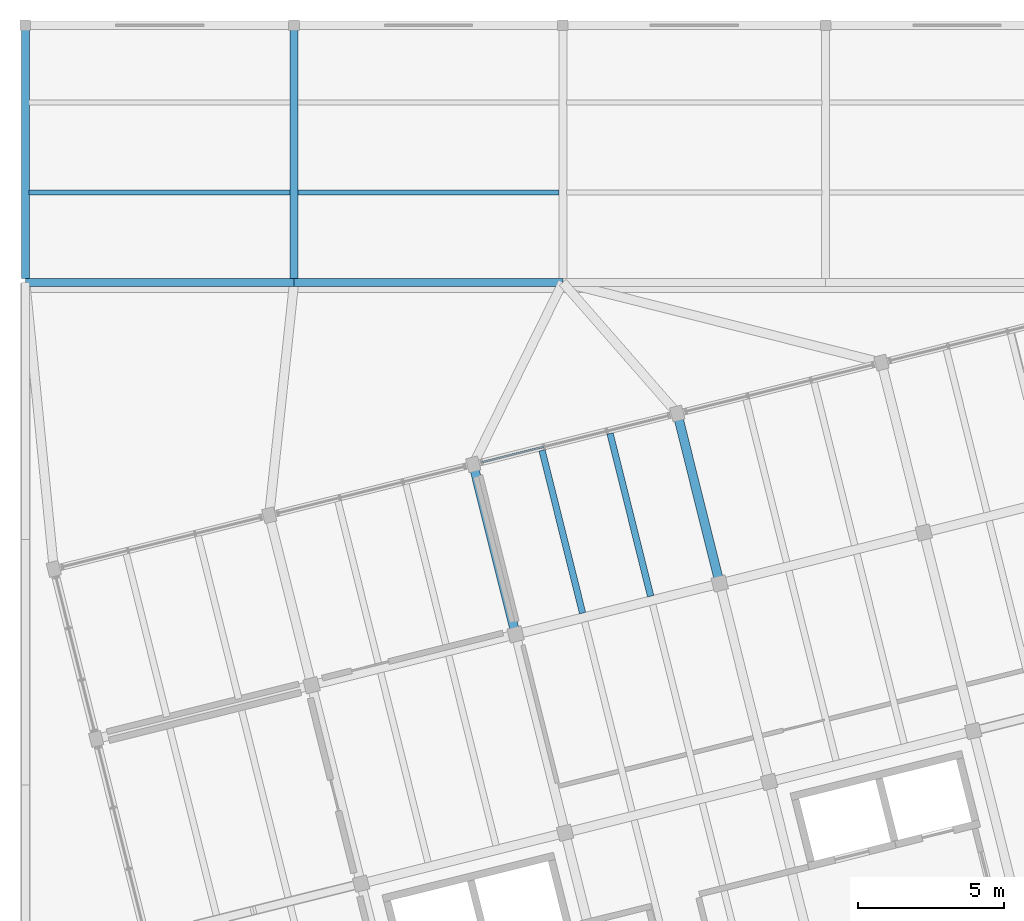
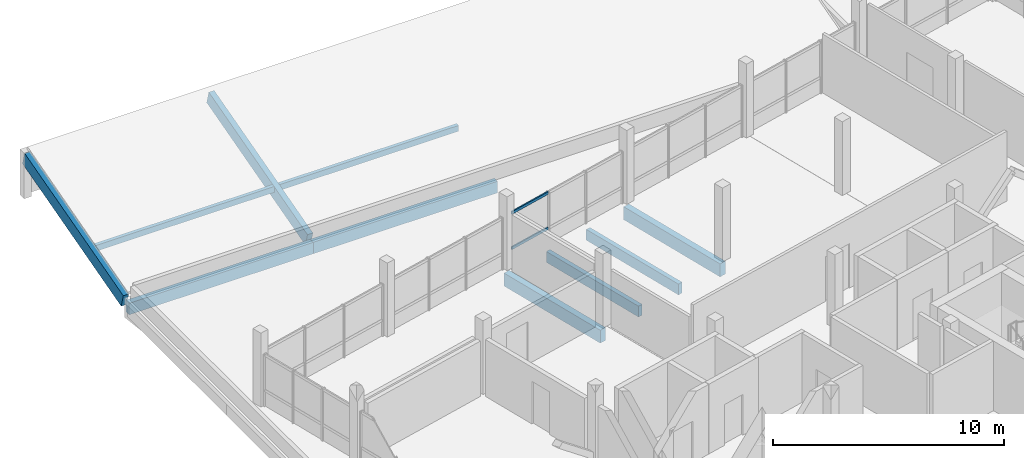
# One storey, part 22 of 37: 8 beams, 4 members, 1 element without a shape of its own.
"""IFC4 building model written with IfcOpenShell, lengths in metres."""

from ifc_helpers import new_model, si_unit, direction, frame, origin, origin_2d, place, context, subcontext, project, spatial, rectangle, hollow_rectangle, extrude, material, layer, layer_set, material_profile, profile_set, type_object, element, aggregate, save


model = new_model("IFC4")

# Units and contexts
model_context = context("Model", 3, precision=1e-05, world=origin(), true_north=direction((0.0, 1.0)))
body_context = subcontext(model_context, "Body", "Model", "MODEL_VIEW")
ifc_project = project(units=[si_unit("LENGTHUNIT", "METRE"), si_unit("AREAUNIT", "SQUARE_METRE"), si_unit("VOLUMEUNIT", "CUBIC_METRE"), si_unit("PLANEANGLEUNIT", "RADIAN"), si_unit("MASSUNIT", "GRAM", prefix="KILO")], contexts=[model_context])

# Site, building, storey
site_placement = place(None, origin())
site = spatial("IfcSite", under=ifc_project, at=site_placement, CompositionType="ELEMENT")
building_placement = place(site_placement, origin())
building = spatial("IfcBuilding", under=site, at=building_placement, Name="Meriwether Solvik Hall", CompositionType="ELEMENT")
storey_placement = place(building_placement, frame((0.0, 0.0, 26.10009765625)))
storey = spatial("IfcBuildingStorey", under=building, at=storey_placement, Name="L06", CompositionType="ELEMENT", Elevation=26.10009765625)

# Beams
ifc_material_1 = material(Name="Glulam Douglas-Fir 24F-V8 GL28h", Category="wood")
ifc_material_profile_1 = material_profile(ifc_material_1, rectangle(XDim=0.27294921875, YDim=0.610107421875, at=origin_2d()), Name="GLB-273X610")
ifc_profile_set_1 = profile_set([ifc_material_profile_1], Name="Glulam Douglas-Fir 24F-V8 GL28h")
beam_type_1 = type_object("IfcBeamType", Name="BM-GL-273X610", PredefinedType="SPANDREL", material=ifc_profile_set_1)
beam_1_placement = place(storey_placement, frame((59.39990234375, 84.0, -0.5751953125), z_axis=(1.0, 0.0, 0.0), x_axis=(0.0, 1.0, 0.0)))
element("IfcBeam", 1, at=beam_1_placement, inside=storey, type_object=beam_type_1, Name="Podium Girder J:7-8 (L06)", PredefinedType="SPANDREL", context=body_context, shape_type="SweptSolid", body=[
    extrude(rectangle(XDim=0.27294921875, YDim=0.610107421875, at=origin_2d()), origin(), (0.0, 0.0, 1.0), 9.2001953125),
])
beam_2_placement = place(storey_placement, frame((68.60009765625, 84.0, -0.5751953125), z_axis=(1.0, 0.0, 0.0), x_axis=(0.0, 1.0, 0.0)))
element("IfcBeam", 2, at=beam_2_placement, inside=storey, type_object=beam_type_1, Name="Podium Girder J:8-9 (L06)", PredefinedType="SPANDREL", context=body_context, shape_type="SweptSolid", body=[
    extrude(rectangle(XDim=0.27294921875, YDim=0.610107421875, at=origin_2d()), origin(), (0.0, 0.0, 1.0), 9.199951171875),
])
ifc_material_2 = material(Name="Glulam Douglas-Fir 24F-V8 GL28h", Category="wood")
ifc_material_profile_2 = material_profile(ifc_material_2, rectangle(XDim=0.27294921875, YDim=0.68505859375, at=origin_2d()), Name="GLB-273X685")
ifc_profile_set_2 = profile_set([ifc_material_profile_2], Name="Glulam Douglas-Fir 24F-V8 GL28h")
beam_type_2 = type_object("IfcBeamType", Name="BM-GL-273X685", PredefinedType="BEAM", material=ifc_profile_set_2)
for number, where, z_axis, x_axis, name in (
    (3, (59.39990234375, 84.21875, -0.31396484375), (0.0, 0.964211732223, 0.265133429511), (-1.0, 0.0, 0.0), "Raking Glulam Roof Rafter w4b_north_w-7 (L06)"),
    (4, (68.60009765625, 84.21875, -0.31396484375), (0.0, 0.964211732223, 0.265133429511), (-1.0, 0.0, 0.0), "Raking Glulam Roof Rafter w4b_north_w-8 (L06)"),
):
    element("IfcBeam", number, at=place(storey_placement, frame(where, z_axis=z_axis, x_axis=x_axis)), inside=storey, type_object=beam_type_2, Name=name, PredefinedType="BEAM", context=body_context, shape_type="SweptSolid", body=[
        extrude(rectangle(XDim=0.27294921875, YDim=0.68505859375, at=origin_2d()), origin(), (0.0, 0.0, 1.0), 8.861083984375),
    ])
ifc_material_3 = material(Name="Glulam Douglas-Fir 24F-V8 GL28h", Category="wood")
ifc_material_profile_3 = material_profile(ifc_material_3, rectangle(XDim=0.31494140625, YDim=0.68505859375, at=origin_2d()), Name="GLB-315X685")
ifc_profile_set_3 = profile_set([ifc_material_profile_3], Name="Glulam Douglas-Fir 24F-V8 GL28h")
beam_type_3 = type_object("IfcBeamType", Name="BM-GL-315X685", PredefinedType="BEAM", material=ifc_profile_set_3)
for number, where, z_axis, x_axis, name in (
    (5, (76.1865234375, 71.94873046875, -0.612548828125), (-0.241903677572, 0.970300268359, 0.0), (-0.970300268359, -0.241903677572, 0.0), "Tower Girder T3:TE-TF (L06)"),
    (6, (83.172607421875, 73.690673828125, -0.612548828125), (-0.241903677572, 0.970300268359, 0.0), (-0.970300268359, -0.241903677572, 0.0), "Tower Girder T4:TE-TF (L06)"),
):
    element("IfcBeam", number, at=place(storey_placement, frame(where, z_axis=z_axis, x_axis=x_axis)), inside=storey, type_object=beam_type_3, Name=name, PredefinedType="BEAM", context=body_context, shape_type="SweptSolid", body=[
        extrude(rectangle(XDim=0.31494140625, YDim=0.68505859375, at=origin_2d()), origin(), (0.0, 0.0, 1.0), 6.0),
    ])

# Curtain wall, members
ifc_material_4 = material(Name="Thermally Broken Anodised Aluminium 6063-T6 and Low-E Glass", Category="aluminium")
ifc_layer = layer(ifc_material_4, 0.179931640625)
ifc_layer_set = layer_set([ifc_layer], Name="Thermally Broken Anodised Aluminium 6063-T6 and Low-E Glass")
curtain_wall_type = type_object("IfcCurtainWallType", Name="CW-UNIT-C", PredefinedType="USERDEFINED", material=ifc_layer_set)
curtain_wall_placement = place(storey_placement, origin())
curtain_wall = element("IfcCurtainWall", 7, at=curtain_wall_placement, inside=storey, type_object=curtain_wall_type, Name="Curtain Wall E4_B2 (L06)", ObjectType="UNITISED CURTAIN WALL", PredefinedType="USERDEFINED")
ifc_material_5 = material(Name="Anodised Aluminium 6063-T6", Category="aluminium")
ifc_material_profile_4 = material_profile(ifc_material_5, hollow_rectangle(XDim=0.06494140625, YDim=0.139892578125, WallThickness=0.00439453125, at=origin_2d()), Name="CWT-65X140")
ifc_profile_set_4 = profile_set([ifc_material_profile_4], Name="Anodised Aluminium 6063-T6")
member_type_1 = type_object("IfcMemberType", Name="CW-TRN-65X140", PredefinedType="USERDEFINED", material=ifc_profile_set_4)
member_1_placement = place(storey_placement, frame((75.023681640625, 77.842529296875, 0.824951171875), z_axis=(0.970299748003, 0.241905764761, 0.0), x_axis=(-0.241905764761, 0.970299748003, 0.0)))
member_1 = element("IfcMember", 8, at=member_1_placement, type_object=member_type_1, Name="Curtain Wall Transom 1-sill", ObjectType="TRANSOM", PredefinedType="USERDEFINED", context=body_context, shape_type="SweptSolid", body=[
    extrude(hollow_rectangle(XDim=0.06494140625, YDim=0.139892578125, WallThickness=0.00439453125, at=origin_2d()), origin(), (0.0, 0.0, 1.0), 2.18896484375),
])
member_2_placement = place(storey_placement, frame((75.023681640625, 77.842529296875, 2.68994140625), z_axis=(0.970299748003, 0.241905764761, 0.0), x_axis=(-0.241905764761, 0.970299748003, 0.0)))
member_2 = element("IfcMember", 9, at=member_2_placement, type_object=member_type_1, Name="Curtain Wall Transom 1-head", ObjectType="TRANSOM", PredefinedType="USERDEFINED", context=body_context, shape_type="SweptSolid", body=[
    extrude(hollow_rectangle(XDim=0.06494140625, YDim=0.139892578125, WallThickness=0.00439453125, at=origin_2d()), origin(), (0.0, 0.0, 1.0), 2.18896484375),
])
aggregate(curtain_wall, [member_1, member_2])

# Beams
ifc_material_6 = material(Name="Glulam Douglas-Fir 24F-V8 GL28h", Category="wood")
ifc_material_profile_5 = material_profile(ifc_material_6, rectangle(XDim=0.221923828125, YDim=0.570068359375, at=origin_2d()), Name="GLJ-222X570")
ifc_profile_set_5 = profile_set([ifc_material_profile_5], Name="Glulam Douglas-Fir 24F-V8 GL28h")
beam_type_4 = type_object("IfcBeamType", Name="JST-GL-222X570", PredefinedType="JOIST", material=ifc_profile_set_5)
for number, where, z_axis, x_axis, name in (
    (10, (78.478271484375, 72.67724609375, -0.55517578125), (-0.241905253991, 0.970299875343, 0.0), (-0.970299875343, -0.241905253991, 0.0), "Glulam Floor Joist T3/TE-J1 (L06)"),
    (11, (80.80712890625, 73.2578125, -0.55517578125), (-0.241905253991, 0.970299875343, 0.0), (-0.970299875343, -0.241905253991, 0.0), "Glulam Floor Joist T3/TE-J2 (L06)"),
):
    element("IfcBeam", number, at=place(storey_placement, frame(where, z_axis=z_axis, x_axis=x_axis)), inside=storey, type_object=beam_type_4, Name=name, PredefinedType="JOIST", context=body_context, shape_type="SweptSolid", body=[
        extrude(rectangle(XDim=0.221923828125, YDim=0.570068359375, at=origin_2d()), origin(), (0.0, 0.0, 1.0), 5.741455078125),
    ])

# Members
ifc_material_7 = material(Name="Glulam Douglas-Fir 24F-V8 GL28h", Category="wood")
ifc_material_profile_6 = material_profile(ifc_material_7, rectangle(XDim=0.175048828125, YDim=0.304931640625, at=origin_2d()), Name="GLM-175X305")
ifc_profile_set_6 = profile_set([ifc_material_profile_6], Name="Glulam Douglas-Fir 24F-V8 GL28h")
member_type_2 = type_object("IfcMemberType", Name="MEM-PRL-GL175", PredefinedType="PURLIN", material=ifc_profile_set_6)
for number, where, z_axis, x_axis, name in (
    (12, (59.532470703125, 87.080078125, 0.675537109375), (1.0, 0.0, 0.0), (0.0, 1.0, 0.0), "Sloped Roof Glulam Purlin w4b_north_w-1.1"),
    (13, (68.732421875, 87.080078125, 0.675537109375), (1.0, 0.0, 0.0), (0.0, 1.0, 0.0), "Sloped Roof Glulam Purlin w4b_north_w-2.1"),
):
    element("IfcMember", number, at=place(storey_placement, frame(where, z_axis=z_axis, x_axis=x_axis)), inside=storey, type_object=member_type_2, Name=name, PredefinedType="PURLIN", context=body_context, shape_type="SweptSolid", body=[
        extrude(rectangle(XDim=0.175048828125, YDim=0.304931640625, at=origin_2d()), origin(), (0.0, 0.0, 1.0), 8.93505859375),
    ])

save(model, "model.ifc")
